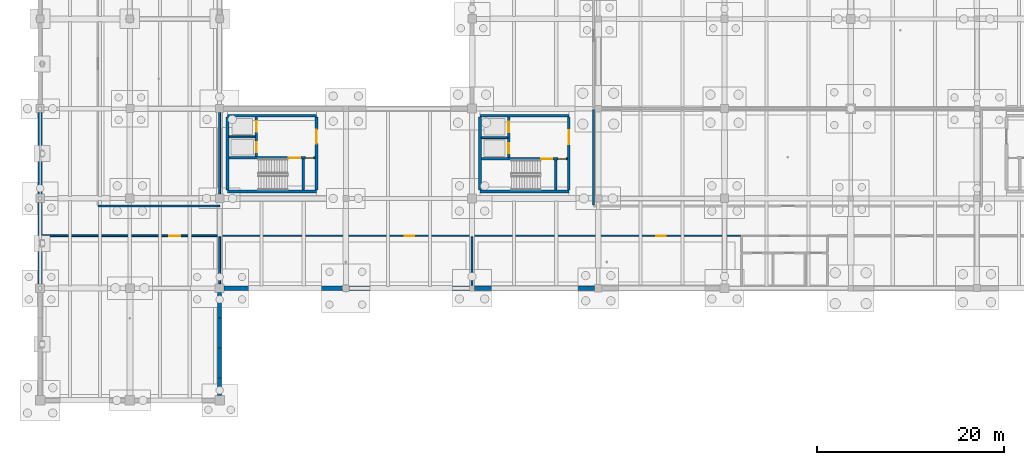
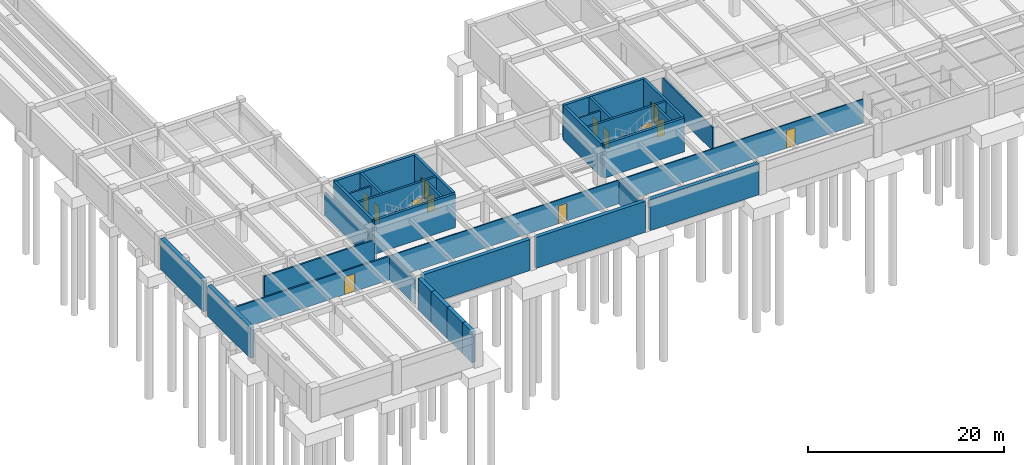
# One storey, part 15 of 41: 32 walls, 13 doors, 13 openings.
"""IFC4 building model written with IfcOpenShell, lengths in metres."""

from ifc_helpers import new_model, si_unit, direction, frame, frame_2d, origin, place, context, subcontext, project, spatial, rectangle, extrude, material, layer, layer_set, type_object, element, fill, save


model = new_model("IFC4")

# Units and contexts
model_context = context("Model", 3, precision=1e-05, world=origin(), true_north=direction((0.0, 1.0)))
body_context = subcontext(model_context, "Body", "Model", "MODEL_VIEW")
ifc_project = project(units=[si_unit("LENGTHUNIT", "METRE"), si_unit("AREAUNIT", "SQUARE_METRE"), si_unit("VOLUMEUNIT", "CUBIC_METRE"), si_unit("PLANEANGLEUNIT", "RADIAN"), si_unit("MASSUNIT", "GRAM", prefix="KILO")], contexts=[model_context])

# Site, building, storey
site_placement = place(None, origin())
site = spatial("IfcSite", under=ifc_project, at=site_placement, CompositionType="ELEMENT")
building_placement = place(site_placement, origin())
building = spatial("IfcBuilding", under=site, at=building_placement, Name="Fikremerkos Civic Library", CompositionType="ELEMENT")
storey_placement = place(building_placement, frame((0.0, 0.0, -8.39990234375)))
storey = spatial("IfcBuildingStorey", under=building, at=storey_placement, Name="B02", CompositionType="ELEMENT", Elevation=-8.39990234375)

# Walls
ifc_material_1 = material(Name="Concrete C40/50", Category="concrete")
ifc_layer_1 = layer(ifc_material_1, 0.449951171875, Name="Concrete C40/50")
ifc_layer_set_1 = layer_set([ifc_layer_1], Name="Concrete C40/50")
wall_type_1 = type_object("IfcWallType", Name="Basement retaining wall BRW-01 450", PredefinedType="USERDEFINED", material=ifc_layer_set_1)
wall_1_placement = place(storey_placement, frame((59.302001953125, 12.0, 0.0), z_axis=(0.0, 0.0, 1.0), x_axis=(-1.0, 0.0, 0.0)))
element("IfcWall", 1, at=wall_1_placement, inside=storey, type_object=wall_type_1, Name="Basement retaining wall BRW-01 B02 #6", ObjectType="RETAINING WALL", PredefinedType="USERDEFINED", context=body_context, shape_type="SweptSolid", body=[
    extrude(rectangle(XDim=12.8291015625, YDim=0.449951171875, at=frame_2d((6.41455078125, 0.0))), origin(), (0.0, 0.0, 1.0), 3.85986328125),
])
wall_2_placement = place(storey_placement, frame((45.927001953125, 12.0, 0.0), z_axis=(0.0, 0.0, 1.0), x_axis=(-1.0, 0.0, 0.0)))
element("IfcWall", 2, at=wall_2_placement, inside=storey, type_object=wall_type_1, Name="Basement retaining wall BRW-01 B02 #7", ObjectType="RETAINING WALL", PredefinedType="USERDEFINED", context=body_context, shape_type="SweptSolid", body=[
    extrude(rectangle(XDim=12.87890625, YDim=0.449951171875, at=frame_2d((6.439453125, 0.0))), origin(), (0.0, 0.0, 1.0), 3.85986328125),
])
wall_3_placement = place(storey_placement, frame((32.35205078125, 12.0, 0.0), z_axis=(0.0, 0.0, 1.0), x_axis=(-1.0, 0.0, 0.0)))
element("IfcWall", 3, at=wall_3_placement, inside=storey, type_object=wall_type_1, Name="Basement retaining wall BRW-01 B02 #8", ObjectType="RETAINING WALL", PredefinedType="USERDEFINED", context=body_context, shape_type="SweptSolid", body=[
    extrude(rectangle(XDim=12.678955078125, YDim=0.449951171875, at=frame_2d((6.33935546875, 0.0))), origin(), (0.0, 0.0, 1.0), 3.85986328125),
])
wall_4_placement = place(storey_placement, frame((19.199951171875, 11.527099609375, 0.0), z_axis=(0.0, 0.0, 1.0), x_axis=(0.0, -1.0, 0.0)))
element("IfcWall", 4, at=wall_4_placement, inside=storey, type_object=wall_type_1, Name="Basement retaining wall BRW-01 B02 #9", ObjectType="RETAINING WALL", PredefinedType="USERDEFINED", context=body_context, shape_type="SweptSolid", body=[
    extrude(rectangle(XDim=2.72509765625, YDim=0.449951171875, at=frame_2d((1.362548828125, 0.0))), origin(), (0.0, 0.0, 1.0), 3.85986328125),
])
wall_5_placement = place(storey_placement, frame((19.199951171875, 8.798095703125, 0.0), z_axis=(0.0, 0.0, 1.0), x_axis=(0.0, -1.0, 0.0)))
element("IfcWall", 5, at=wall_5_placement, inside=storey, type_object=wall_type_1, Name="Basement retaining wall BRW-01 B02 #10", ObjectType="RETAINING WALL", PredefinedType="USERDEFINED", context=body_context, shape_type="SweptSolid", body=[
    extrude(rectangle(XDim=3.196044921875, YDim=0.449951171875, at=frame_2d((1.59814453125, 0.0))), origin(), (0.0, 0.0, 1.0), 3.85986328125),
])
wall_6_placement = place(storey_placement, frame((19.199951171875, 5.597900390625, 0.0), z_axis=(0.0, 0.0, 1.0), x_axis=(0.0, -1.0, 0.0)))
element("IfcWall", 6, at=wall_6_placement, inside=storey, type_object=wall_type_1, Name="Basement retaining wall BRW-01 B02 #11", ObjectType="RETAINING WALL", PredefinedType="USERDEFINED", context=body_context, shape_type="SweptSolid", body=[
    extrude(rectangle(XDim=3.19580078125, YDim=0.449951171875, at=frame_2d((1.597900390625, 0.0))), origin(), (0.0, 0.0, 1.0), 3.85986328125),
])
wall_7_placement = place(storey_placement, frame((19.199951171875, 2.39794921875, 0.0), z_axis=(0.0, 0.0, 1.0), x_axis=(0.0, -1.0, 0.0)))
element("IfcWall", 7, at=wall_7_placement, inside=storey, type_object=wall_type_1, Name="Basement retaining wall BRW-01 B02 #12", ObjectType="RETAINING WALL", PredefinedType="USERDEFINED", context=body_context, shape_type="SweptSolid", body=[
    extrude(rectangle(XDim=1.89990234375, YDim=0.449951171875, at=frame_2d((0.949951171875, 0.0))), origin(), (0.0, 0.0, 1.0), 3.85986328125),
])
wall_8_placement = place(storey_placement, frame((0.0, 12.472900390625, 0.0), z_axis=(0.0, 0.0, 1.0), x_axis=(0.0, 1.0, 0.0)))
element("IfcWall", 8, at=wall_8_placement, inside=storey, type_object=wall_type_1, Name="Basement retaining wall BRW-01 B02 #19", ObjectType="RETAINING WALL", PredefinedType="USERDEFINED", context=body_context, shape_type="SweptSolid", body=[
    extrude(rectangle(XDim=8.67919921875, YDim=0.449951171875, at=frame_2d((4.339599609375, 0.0))), origin(), (0.0, 0.0, 1.0), 3.85986328125),
])
wall_9_placement = place(storey_placement, frame((0.0, 22.048095703125, 0.0), z_axis=(0.0, 0.0, 1.0), x_axis=(0.0, 1.0, 0.0)))
element("IfcWall", 9, at=wall_9_placement, inside=storey, type_object=wall_type_1, Name="Basement retaining wall BRW-01 B02 #20", ObjectType="RETAINING WALL", PredefinedType="USERDEFINED", context=body_context, shape_type="SweptSolid", body=[
    extrude(rectangle(XDim=8.72900390625, YDim=0.449951171875, at=frame_2d((4.364501953125, 0.0))), origin(), (0.0, 0.0, 1.0), 3.85986328125),
])
ifc_layer_2 = layer(ifc_material_1, 0.300048828125, Name="Concrete C40/50")
ifc_layer_set_2 = layer_set([ifc_layer_2], Name="Concrete C40/50")
wall_type_2 = type_object("IfcWallType", Name="Core shear wall CSW-01 300", PredefinedType="SHEAR", material=ifc_layer_set_2)
for number, where, z_axis, x_axis, name in (
    (10, (29.550048828125, 22.35009765625, 0.0), (0.0, 0.0, 1.0), (-1.0, 0.0, 0.0), "Core K1 south shear wall B02"),
    (11, (20.050048828125, 30.449951171875, 0.0), (0.0, 0.0, 1.0), (1.0, 0.0, 0.0), "Core K1 north shear wall B02"),
):
    element("IfcWall", number, at=place(storey_placement, frame(where, z_axis=z_axis, x_axis=x_axis)), inside=storey, type_object=wall_type_2, Name=name, PredefinedType="SHEAR", context=body_context, shape_type="SweptSolid", body=[
        extrude(rectangle(XDim=9.5, YDim=0.300048828125, at=frame_2d((4.75, 0.0))), origin(), (0.0, 0.0, 1.0), 4.199951171875),
    ])
wall_10_placement = place(storey_placement, frame((20.050048828125, 22.501953125, 0.0), z_axis=(0.0, 0.0, 1.0), x_axis=(0.0, 1.0, 0.0)))
element("IfcWall", 12, at=wall_10_placement, inside=storey, type_object=wall_type_2, Name="Core K1 west shear wall B02", PredefinedType="SHEAR", context=body_context, shape_type="SweptSolid", body=[
    extrude(rectangle(XDim=7.796142578125, YDim=0.300048828125, at=frame_2d((3.89794921875, 0.0))), origin(), (0.0, 0.0, 1.0), 4.199951171875),
])

# Wall, opening, door
wall_11_placement = place(storey_placement, frame((29.550048828125, 30.298095703125, 0.0), z_axis=(0.0, 0.0, 1.0), x_axis=(0.0, -1.0, 0.0)))
wall_11 = element("IfcWall", 13, at=wall_11_placement, inside=storey, type_object=wall_type_2, Name="Core K1 east shear wall B02", PredefinedType="SHEAR", context=body_context, shape_type="SweptSolid", body=[
    extrude(rectangle(XDim=7.796142578125, YDim=0.300048828125, at=frame_2d((3.89794921875, 0.0))), origin(), (0.0, 0.0, 1.0), 4.199951171875),
])
opening_1_placement = place(wall_11_placement, frame((1.347900390625, 0.0, 0.0)))
opening_1 = element("IfcOpeningElement", 14, at=opening_1_placement, cuts=wall_11, Name="Opening D029", PredefinedType="OPENING", context=body_context, shape_type="SweptSolid", body=[
    extrude(rectangle(XDim=1.5, YDim=2.25, at=frame_2d((0.75, 1.125))), frame((0.0, 0.159912109375, 0.0), z_axis=(0.0, -1.0, 0.0), x_axis=(1.0, 0.0, 0.0)), (0.0, 0.0, 1.0), 0.320068359375),
])
ifc_material_2 = material(Name="Hardwood timber and acoustic glass", Category="wood")
door_type_1 = type_object("IfcDoorType", Name="Pedestrian door DT-05 1500x2250", OperationType="NOTDEFINED", PredefinedType="DOOR", material=ifc_material_2)
door_1_placement = place(opening_1_placement, origin())
door_1 = element("IfcDoor", 15, at=door_1_placement, inside=storey, type_object=door_type_1, Name="Core K1 lobby fire door D029 B02", OperationType="SINGLE_SWING_RIGHT", OverallHeight=2.25, OverallWidth=1.5, PredefinedType="DOOR", context=body_context, shape_type="SweptSolid", body=[
    extrude(rectangle(XDim=1.5, YDim=2.25, at=frame_2d((0.75, 1.125))), frame((0.0, 0.032470703125, 0.0), z_axis=(0.0, -1.0, 0.0), x_axis=(1.0, 0.0, 0.0)), (0.0, 0.0, 1.0), 0.06494140625),
])
fill(opening_1, door_1)

# Walls
for number, where, z_axis, x_axis, name in (
    (16, (56.550048828125, 22.35009765625, 0.0), (0.0, 0.0, 1.0), (-1.0, 0.0, 0.0), "Core K3 south shear wall B02"),
    (17, (47.050048828125, 30.449951171875, 0.0), (0.0, 0.0, 1.0), (1.0, 0.0, 0.0), "Core K3 north shear wall B02"),
):
    element("IfcWall", number, at=place(storey_placement, frame(where, z_axis=z_axis, x_axis=x_axis)), inside=storey, type_object=wall_type_2, Name=name, PredefinedType="SHEAR", context=body_context, shape_type="SweptSolid", body=[
        extrude(rectangle(XDim=9.5, YDim=0.300048828125, at=frame_2d((4.75, 0.0))), origin(), (0.0, 0.0, 1.0), 4.199951171875),
    ])
wall_12_placement = place(storey_placement, frame((47.050048828125, 22.501953125, 0.0), z_axis=(0.0, 0.0, 1.0), x_axis=(0.0, 1.0, 0.0)))
element("IfcWall", 18, at=wall_12_placement, inside=storey, type_object=wall_type_2, Name="Core K3 west shear wall B02", PredefinedType="SHEAR", context=body_context, shape_type="SweptSolid", body=[
    extrude(rectangle(XDim=7.796142578125, YDim=0.300048828125, at=frame_2d((3.89794921875, 0.0))), origin(), (0.0, 0.0, 1.0), 4.199951171875),
])

# Wall, opening, door
wall_13_placement = place(storey_placement, frame((56.550048828125, 30.298095703125, 0.0), z_axis=(0.0, 0.0, 1.0), x_axis=(0.0, -1.0, 0.0)))
wall_13 = element("IfcWall", 19, at=wall_13_placement, inside=storey, type_object=wall_type_2, Name="Core K3 east shear wall B02", PredefinedType="SHEAR", context=body_context, shape_type="SweptSolid", body=[
    extrude(rectangle(XDim=7.796142578125, YDim=0.300048828125, at=frame_2d((3.89794921875, 0.0))), origin(), (0.0, 0.0, 1.0), 4.199951171875),
])
opening_2_placement = place(wall_13_placement, frame((1.39794921875, 0.0, 0.0)))
opening_2 = element("IfcOpeningElement", 20, at=opening_2_placement, cuts=wall_13, Name="Opening D077", PredefinedType="OPENING", context=body_context, shape_type="SweptSolid", body=[
    extrude(rectangle(XDim=1.5, YDim=2.25, at=frame_2d((0.75, 1.125))), frame((0.0, 0.159912109375, 0.0), z_axis=(0.0, -1.0, 0.0), x_axis=(1.0, 0.0, 0.0)), (0.0, 0.0, 1.0), 0.320068359375),
])
door_2_placement = place(opening_2_placement, origin())
door_2 = element("IfcDoor", 21, at=door_2_placement, inside=storey, type_object=door_type_1, Name="Core K3 lobby fire door D077 B02", OperationType="SINGLE_SWING_RIGHT", OverallHeight=2.25, OverallWidth=1.5, PredefinedType="DOOR", context=body_context, shape_type="SweptSolid", body=[
    extrude(rectangle(XDim=1.5, YDim=2.25, at=frame_2d((0.75, 1.125))), frame((0.0, 0.032470703125, 0.0), z_axis=(0.0, -1.0, 0.0), x_axis=(1.0, 0.0, 0.0)), (0.0, 0.0, 1.0), 0.06494140625),
])
fill(opening_2, door_2)

# Wall, openings, doors
ifc_layer_3 = layer(ifc_material_1, 0.260009765625, Name="Concrete C40/50")
ifc_layer_set_3 = layer_set([ifc_layer_3], Name="Concrete C40/50")
wall_type_3 = type_object("IfcWallType", Name="Core shear wall CSW-02 260", PredefinedType="SHEAR", material=ifc_layer_set_3)
wall_14_placement = place(storey_placement, frame((20.201904296875, 25.929931640625, 0.0), z_axis=(0.0, 0.0, 1.0), x_axis=(1.0, 0.0, 0.0)))
wall_14 = element("IfcWall", 22, at=wall_14_placement, inside=storey, type_object=wall_type_3, Name="Core K1 stair compartment wall B02", PredefinedType="SHEAR", context=body_context, shape_type="SweptSolid", body=[
    extrude(rectangle(XDim=9.196044921875, YDim=0.260009765625, at=frame_2d((4.59814453125, 0.0))), origin(), (0.0, 0.0, 1.0), 4.199951171875),
])
opening_3_placement = place(wall_14_placement, frame((6.39794921875, 0.0, 0.0)))
opening_3 = element("IfcOpeningElement", 23, at=opening_3_placement, cuts=wall_14, Name="Opening D030", PredefinedType="OPENING", context=body_context, shape_type="SweptSolid", body=[
    extrude(rectangle(XDim=1.199951171875, YDim=2.199951171875, at=frame_2d((0.60009765625, 1.10009765625))), frame((0.0, 0.139892578125, 0.0), z_axis=(0.0, -1.0, 0.0), x_axis=(1.0, 0.0, 0.0)), (0.0, 0.0, 1.0), 0.280029296875),
])
opening_4_placement = place(wall_14_placement, frame((8.202880859375, 0.0, 0.0)))
opening_4 = element("IfcOpeningElement", 24, at=opening_4_placement, cuts=wall_14, Name="Opening D031", PredefinedType="OPENING", context=body_context, shape_type="SweptSolid", body=[
    extrude(rectangle(XDim=0.85009765625, YDim=2.050048828125, at=frame_2d((0.425048828125, 1.02490234375))), frame((0.0, 0.139892578125, 0.0), z_axis=(0.0, -1.0, 0.0), x_axis=(1.0, 0.0, 0.0)), (0.0, 0.0, 1.0), 0.280029296875),
])
door_type_2 = type_object("IfcDoorType", Name="Pedestrian door DT-06 1200x2200", OperationType="NOTDEFINED", PredefinedType="DOOR", material=ifc_material_2)
door_3_placement = place(opening_3_placement, origin())
door_3 = element("IfcDoor", 25, at=door_3_placement, inside=storey, type_object=door_type_2, Name="Core K1 stair fire door D030 B02", OperationType="SINGLE_SWING_RIGHT", OverallHeight=2.199951171875, OverallWidth=1.199951171875, PredefinedType="DOOR", context=body_context, shape_type="SweptSolid", body=[
    extrude(rectangle(XDim=1.199951171875, YDim=2.199951171875, at=frame_2d((0.60009765625, 1.10009765625))), frame((0.0, 0.032470703125, 0.0), z_axis=(0.0, -1.0, 0.0), x_axis=(1.0, 0.0, 0.0)), (0.0, 0.0, 1.0), 0.06494140625),
])
fill(opening_3, door_3)
door_type_3 = type_object("IfcDoorType", Name="Pedestrian door DT-08 850x2050", OperationType="NOTDEFINED", PredefinedType="DOOR", material=ifc_material_2)
door_4_placement = place(opening_4_placement, origin())
door_4 = element("IfcDoor", 26, at=door_4_placement, inside=storey, type_object=door_type_3, Name="Core K1 riser access fire door D031 B02", OperationType="SINGLE_SWING_LEFT", OverallHeight=2.050048828125, OverallWidth=0.85009765625, PredefinedType="DOOR", context=body_context, shape_type="SweptSolid", body=[
    extrude(rectangle(XDim=0.85009765625, YDim=2.050048828125, at=frame_2d((0.425048828125, 1.02490234375))), frame((0.0, 0.032470703125, 0.0), z_axis=(0.0, -1.0, 0.0), x_axis=(1.0, 0.0, 0.0)), (0.0, 0.0, 1.0), 0.06494140625),
])
fill(opening_4, door_4)

# Wall
wall_15_placement = place(storey_placement, frame((28.1298828125, 22.501953125, 0.0), z_axis=(0.0, 0.0, 1.0), x_axis=(0.0, 1.0, 0.0)))
element("IfcWall", 27, at=wall_15_placement, inside=storey, type_object=wall_type_3, Name="Core K1 stair-riser shear wall B02", PredefinedType="SHEAR", context=body_context, shape_type="SweptSolid", body=[
    extrude(rectangle(XDim=3.296142578125, YDim=0.260009765625, at=frame_2d((1.64794921875, 0.0))), origin(), (0.0, 0.0, 1.0), 4.199951171875),
])

# Wall, openings, doors
wall_16_placement = place(storey_placement, frame((23.1298828125, 26.06201171875, 0.0), z_axis=(0.0, 0.0, 1.0), x_axis=(0.0, 1.0, 0.0)))
wall_16 = element("IfcWall", 28, at=wall_16_placement, inside=storey, type_object=wall_type_3, Name="Core K1 lift shaft front wall B02", PredefinedType="SHEAR", context=body_context, shape_type="SweptSolid", body=[
    extrude(rectangle(XDim=4.236083984375, YDim=0.260009765625, at=frame_2d((2.1181640625, 0.0))), origin(), (0.0, 0.0, 1.0), 4.199951171875),
])
opening_5_placement = place(wall_16_placement, frame((0.468017578125, 0.0, 0.0)))
opening_5 = element("IfcOpeningElement", 29, at=opening_5_placement, cuts=wall_16, Name="Opening LD01", PredefinedType="OPENING", context=body_context, shape_type="SweptSolid", body=[
    extrude(rectangle(XDim=1.10009765625, YDim=2.14990234375, at=frame_2d((0.550048828125, 1.074951171875))), frame((0.0, 0.139892578125, 0.0), z_axis=(0.0, -1.0, 0.0), x_axis=(1.0, 0.0, 0.0)), (0.0, 0.0, 1.0), 0.280029296875),
])
opening_6_placement = place(wall_16_placement, frame((2.66796875, 0.0, 0.0)))
opening_6 = element("IfcOpeningElement", 30, at=opening_6_placement, cuts=wall_16, Name="Opening LD02", PredefinedType="OPENING", context=body_context, shape_type="SweptSolid", body=[
    extrude(rectangle(XDim=1.10009765625, YDim=2.14990234375, at=frame_2d((0.550048828125, 1.074951171875))), frame((0.0, 0.139892578125, 0.0), z_axis=(0.0, -1.0, 0.0), x_axis=(1.0, 0.0, 0.0)), (0.0, 0.0, 1.0), 0.280029296875),
])
ifc_material_3 = material(Name="Brushed stainless steel", Category="steel")
door_type_4 = type_object("IfcDoorType", Name="Lift landing door LDT-01 1100x2150", OperationType="NOTDEFINED", PredefinedType="DOOR", material=ifc_material_3)
door_5_placement = place(opening_5_placement, origin())
door_5 = element("IfcDoor", 31, at=door_5_placement, inside=storey, type_object=door_type_4, Name="Lift LF01 sliding landing door LD01 B02", OperationType="SLIDING_TO_LEFT", OverallHeight=2.14990234375, OverallWidth=1.10009765625, PredefinedType="DOOR", context=body_context, shape_type="SweptSolid", body=[
    extrude(rectangle(XDim=1.10009765625, YDim=2.14990234375, at=frame_2d((0.550048828125, 1.074951171875))), frame((0.0, 0.032470703125, 0.0), z_axis=(0.0, -1.0, 0.0), x_axis=(1.0, 0.0, 0.0)), (0.0, 0.0, 1.0), 0.06494140625),
])
fill(opening_5, door_5)
door_6_placement = place(opening_6_placement, origin())
door_6 = element("IfcDoor", 32, at=door_6_placement, inside=storey, type_object=door_type_4, Name="Lift LF02 sliding landing door LD02 B02", OperationType="SLIDING_TO_LEFT", OverallHeight=2.14990234375, OverallWidth=1.10009765625, PredefinedType="DOOR", context=body_context, shape_type="SweptSolid", body=[
    extrude(rectangle(XDim=1.10009765625, YDim=2.14990234375, at=frame_2d((0.550048828125, 1.074951171875))), frame((0.0, 0.032470703125, 0.0), z_axis=(0.0, -1.0, 0.0), x_axis=(1.0, 0.0, 0.0)), (0.0, 0.0, 1.0), 0.06494140625),
])
fill(opening_6, door_6)

wall_17_placement = place(storey_placement, frame((47.201904296875, 25.830078125, 0.0), z_axis=(0.0, 0.0, 1.0), x_axis=(1.0, 0.0, 0.0)))
wall_17 = element("IfcWall", 33, at=wall_17_placement, inside=storey, type_object=wall_type_3, Name="Core K3 stair compartment wall B02", PredefinedType="SHEAR", context=body_context, shape_type="SweptSolid", body=[
    extrude(rectangle(XDim=9.196044921875, YDim=0.260009765625, at=frame_2d((4.59814453125, 0.0))), origin(), (0.0, 0.0, 1.0), 4.199951171875),
])
opening_7_placement = place(wall_17_placement, frame((6.39794921875, 0.0, 0.0)))
opening_7 = element("IfcOpeningElement", 34, at=opening_7_placement, cuts=wall_17, Name="Opening D078", PredefinedType="OPENING", context=body_context, shape_type="SweptSolid", body=[
    extrude(rectangle(XDim=1.199951171875, YDim=2.199951171875, at=frame_2d((0.60009765625, 1.10009765625))), frame((0.0, 0.139892578125, 0.0), z_axis=(0.0, -1.0, 0.0), x_axis=(1.0, 0.0, 0.0)), (0.0, 0.0, 1.0), 0.280029296875),
])
opening_8_placement = place(wall_17_placement, frame((8.202880859375, 0.0, 0.0)))
opening_8 = element("IfcOpeningElement", 35, at=opening_8_placement, cuts=wall_17, Name="Opening D079", PredefinedType="OPENING", context=body_context, shape_type="SweptSolid", body=[
    extrude(rectangle(XDim=0.85009765625, YDim=2.050048828125, at=frame_2d((0.425048828125, 1.02490234375))), frame((0.0, 0.139892578125, 0.0), z_axis=(0.0, -1.0, 0.0), x_axis=(1.0, 0.0, 0.0)), (0.0, 0.0, 1.0), 0.280029296875),
])
door_7_placement = place(opening_7_placement, origin())
door_7 = element("IfcDoor", 36, at=door_7_placement, inside=storey, type_object=door_type_2, Name="Core K3 stair fire door D078 B02", OperationType="SINGLE_SWING_RIGHT", OverallHeight=2.199951171875, OverallWidth=1.199951171875, PredefinedType="DOOR", context=body_context, shape_type="SweptSolid", body=[
    extrude(rectangle(XDim=1.199951171875, YDim=2.199951171875, at=frame_2d((0.60009765625, 1.10009765625))), frame((0.0, 0.032470703125, 0.0), z_axis=(0.0, -1.0, 0.0), x_axis=(1.0, 0.0, 0.0)), (0.0, 0.0, 1.0), 0.06494140625),
])
fill(opening_7, door_7)
door_8_placement = place(opening_8_placement, origin())
door_8 = element("IfcDoor", 37, at=door_8_placement, inside=storey, type_object=door_type_3, Name="Core K3 riser access fire door D079 B02", OperationType="SINGLE_SWING_LEFT", OverallHeight=2.050048828125, OverallWidth=0.85009765625, PredefinedType="DOOR", context=body_context, shape_type="SweptSolid", body=[
    extrude(rectangle(XDim=0.85009765625, YDim=2.050048828125, at=frame_2d((0.425048828125, 1.02490234375))), frame((0.0, 0.032470703125, 0.0), z_axis=(0.0, -1.0, 0.0), x_axis=(1.0, 0.0, 0.0)), (0.0, 0.0, 1.0), 0.06494140625),
])
fill(opening_8, door_8)

# Wall
wall_18_placement = place(storey_placement, frame((55.1298828125, 22.501953125, 0.0), z_axis=(0.0, 0.0, 1.0), x_axis=(0.0, 1.0, 0.0)))
element("IfcWall", 38, at=wall_18_placement, inside=storey, type_object=wall_type_3, Name="Core K3 stair-riser shear wall B02", PredefinedType="SHEAR", context=body_context, shape_type="SweptSolid", body=[
    extrude(rectangle(XDim=3.196044921875, YDim=0.260009765625, at=frame_2d((1.59814453125, 0.0))), origin(), (0.0, 0.0, 1.0), 4.199951171875),
])

# Wall, openings, doors
wall_19_placement = place(storey_placement, frame((50.1298828125, 25.9619140625, 0.0), z_axis=(0.0, 0.0, 1.0), x_axis=(0.0, 1.0, 0.0)))
wall_19 = element("IfcWall", 39, at=wall_19_placement, inside=storey, type_object=wall_type_3, Name="Core K3 lift shaft front wall B02", PredefinedType="SHEAR", context=body_context, shape_type="SweptSolid", body=[
    extrude(rectangle(XDim=4.336181640625, YDim=0.260009765625, at=frame_2d((2.16796875, 0.0))), origin(), (0.0, 0.0, 1.0), 4.199951171875),
])
opening_9_placement = place(wall_19_placement, frame((0.468017578125, 0.0, 0.0)))
opening_9 = element("IfcOpeningElement", 40, at=opening_9_placement, cuts=wall_19, Name="Opening LD33", PredefinedType="OPENING", context=body_context, shape_type="SweptSolid", body=[
    extrude(rectangle(XDim=1.10009765625, YDim=2.14990234375, at=frame_2d((0.550048828125, 1.074951171875))), frame((0.0, 0.139892578125, 0.0), z_axis=(0.0, -1.0, 0.0), x_axis=(1.0, 0.0, 0.0)), (0.0, 0.0, 1.0), 0.280029296875),
])
opening_10_placement = place(wall_19_placement, frame((2.738037109375, 0.0, 0.0)))
opening_10 = element("IfcOpeningElement", 41, at=opening_10_placement, cuts=wall_19, Name="Opening LD34", PredefinedType="OPENING", context=body_context, shape_type="SweptSolid", body=[
    extrude(rectangle(XDim=1.10009765625, YDim=2.14990234375, at=frame_2d((0.550048828125, 1.074951171875))), frame((0.0, 0.139892578125, 0.0), z_axis=(0.0, -1.0, 0.0), x_axis=(1.0, 0.0, 0.0)), (0.0, 0.0, 1.0), 0.280029296875),
])
door_9_placement = place(opening_9_placement, origin())
door_9 = element("IfcDoor", 42, at=door_9_placement, inside=storey, type_object=door_type_4, Name="Lift LF05 sliding landing door LD33 B02", OperationType="SLIDING_TO_LEFT", OverallHeight=2.14990234375, OverallWidth=1.10009765625, PredefinedType="DOOR", context=body_context, shape_type="SweptSolid", body=[
    extrude(rectangle(XDim=1.10009765625, YDim=2.14990234375, at=frame_2d((0.550048828125, 1.074951171875))), frame((0.0, 0.032470703125, 0.0), z_axis=(0.0, -1.0, 0.0), x_axis=(1.0, 0.0, 0.0)), (0.0, 0.0, 1.0), 0.06494140625),
])
fill(opening_9, door_9)
door_10_placement = place(opening_10_placement, origin())
door_10 = element("IfcDoor", 43, at=door_10_placement, inside=storey, type_object=door_type_4, Name="Lift LF06 sliding landing door LD34 B02", OperationType="SLIDING_TO_LEFT", OverallHeight=2.14990234375, OverallWidth=1.10009765625, PredefinedType="DOOR", context=body_context, shape_type="SweptSolid", body=[
    extrude(rectangle(XDim=1.10009765625, YDim=2.14990234375, at=frame_2d((0.550048828125, 1.074951171875))), frame((0.0, 0.032470703125, 0.0), z_axis=(0.0, -1.0, 0.0), x_axis=(1.0, 0.0, 0.0)), (0.0, 0.0, 1.0), 0.06494140625),
])
fill(opening_10, door_10)

# Wall, opening, door
ifc_material_4 = material(Name="Acoustic concrete blockwork", Category="masonry")
ifc_layer_4 = layer(ifc_material_4, 0.18994140625, Name="Acoustic concrete blockwork")
ifc_layer_set_4 = layer_set([ifc_layer_4], Name="Acoustic concrete blockwork")
wall_type_4 = type_object("IfcWallType", Name="Interior partition wall IPW-01 190", PredefinedType="PARTITIONING", material=ifc_layer_set_4)
wall_20_placement = place(storey_placement, frame((0.22802734375, 17.60009765625, 0.0), z_axis=(0.0, 0.0, 1.0), x_axis=(1.0, 0.0, 0.0)))
wall_20 = element("IfcWall", 44, at=wall_20_placement, inside=storey, type_object=wall_type_4, Name="Interior wall IPW-01 B02 #8", PredefinedType="PARTITIONING", context=body_context, shape_type="SweptSolid", body=[
    extrude(rectangle(XDim=18.971923828125, YDim=0.18994140625, at=frame_2d((9.48583984375, 0.0))), origin(), (0.0, 0.0, 1.0), 2.949951171875),
])
opening_11_placement = place(wall_20_placement, frame((13.572021484375, 0.0, 0.0)))
opening_11 = element("IfcOpeningElement", 45, at=opening_11_placement, cuts=wall_20, Name="Opening D132", PredefinedType="OPENING", context=body_context, shape_type="SweptSolid", body=[
    extrude(rectangle(XDim=1.199951171875, YDim=2.199951171875, at=frame_2d((0.60009765625, 1.10009765625))), frame((0.0, 0.10498046875, 0.0), z_axis=(0.0, -1.0, 0.0), x_axis=(1.0, 0.0, 0.0)), (0.0, 0.0, 1.0), 0.2099609375),
])
door_11_placement = place(opening_11_placement, origin())
door_11 = element("IfcDoor", 46, at=door_11_placement, inside=storey, type_object=door_type_2, Name="Interior door D132 B02", OperationType="SINGLE_SWING_LEFT", OverallHeight=2.199951171875, OverallWidth=1.199951171875, PredefinedType="DOOR", context=body_context, shape_type="SweptSolid", body=[
    extrude(rectangle(XDim=1.199951171875, YDim=2.199951171875, at=frame_2d((0.60009765625, 1.10009765625))), frame((0.0, 0.032470703125, 0.0), z_axis=(0.0, -1.0, 0.0), x_axis=(1.0, 0.0, 0.0)), (0.0, 0.0, 1.0), 0.06494140625),
])
fill(opening_11, door_11)

# Walls
wall_21_placement = place(storey_placement, frame((6.199951171875, 20.800048828125, 0.0), z_axis=(0.0, 0.0, 1.0), x_axis=(1.0, 0.0, 0.0)))
element("IfcWall", 47, at=wall_21_placement, inside=storey, type_object=wall_type_4, Name="Interior wall IPW-01 B02 #9", PredefinedType="PARTITIONING", context=body_context, shape_type="SweptSolid", body=[
    extrude(rectangle(XDim=13.0, YDim=0.18994140625, at=frame_2d((6.5, 0.0))), origin(), (0.0, 0.0, 1.0), 3.0),
])
wall_22_placement = place(storey_placement, frame((19.199951171875, 12.47802734375, 0.0), z_axis=(0.0, 0.0, 1.0), x_axis=(0.0, 1.0, 0.0)))
element("IfcWall", 48, at=wall_22_placement, inside=storey, type_object=wall_type_4, Name="Interior wall IPW-01 B02 #27", PredefinedType="PARTITIONING", context=body_context, shape_type="SweptSolid", body=[
    extrude(rectangle(XDim=5.01708984375, YDim=0.18994140625, at=frame_2d((2.508544921875, 0.0))), origin(), (0.0, 0.0, 1.0), 3.0),
])
wall_23_placement = place(storey_placement, frame((19.199951171875, 22.052978515625, 0.0), z_axis=(0.0, 0.0, 1.0), x_axis=(0.0, 1.0, 0.0)))
element("IfcWall", 49, at=wall_23_placement, inside=storey, type_object=wall_type_4, Name="Interior wall IPW-01 B02 #28", PredefinedType="PARTITIONING", context=body_context, shape_type="SweptSolid", body=[
    extrude(rectangle(XDim=8.718994140625, YDim=0.18994140625, at=frame_2d((4.359375, 0.0))), origin(), (0.0, 0.0, 1.0), 2.849853515625),
])
wall_24_placement = place(storey_placement, frame((59.199951171875, 20.905029296875, 0.0), z_axis=(0.0, 0.0, 1.0), x_axis=(0.0, 1.0, 0.0)))
element("IfcWall", 50, at=wall_24_placement, inside=storey, type_object=wall_type_4, Name="Interior wall IPW-01 B02 #29", PredefinedType="PARTITIONING", context=body_context, shape_type="SweptSolid", body=[
    extrude(rectangle(XDim=10.18994140625, YDim=0.18994140625, at=frame_2d((5.094970703125, 0.0))), origin(), (0.0, 0.0, 1.0), 2.89990234375),
])
wall_25_placement = place(storey_placement, frame((46.199951171875, 12.278076171875, 0.0), z_axis=(0.0, 0.0, 1.0), x_axis=(0.0, 1.0, 0.0)))
element("IfcWall", 51, at=wall_25_placement, inside=storey, type_object=wall_type_4, Name="Interior wall IPW-01 B02 #40", PredefinedType="PARTITIONING", context=body_context, shape_type="SweptSolid", body=[
    extrude(rectangle(XDim=5.217041015625, YDim=0.18994140625, at=frame_2d((2.6083984375, 0.0))), origin(), (0.0, 0.0, 1.0), 3.0),
])

# Wall, openings, doors
ifc_material_5 = material(Name="Gypsum metal stud partition")
ifc_layer_5 = layer(ifc_material_5, 0.1298828125, Name="Gypsum metal stud partition")
ifc_layer_set_5 = layer_set([ifc_layer_5], Name="Gypsum metal stud partition")
wall_type_5 = type_object("IfcWallType", Name="Interior partition wall IPW-03 130", PredefinedType="PARTITIONING", material=ifc_layer_set_5)
wall_26_placement = place(storey_placement, frame((19.280029296875, 17.60009765625, 0.0), z_axis=(0.0, 0.0, 1.0), x_axis=(1.0, 0.0, 0.0)))
wall_26 = element("IfcWall", 52, at=wall_26_placement, inside=storey, type_object=wall_type_5, Name="Interior wall IPW-03 B02 #38", PredefinedType="PARTITIONING", context=body_context, shape_type="SweptSolid", body=[
    extrude(rectangle(XDim=55.669921875, YDim=0.1298828125, at=frame_2d((27.8349609375, 0.0))), origin(), (0.0, 0.0, 1.0), 2.949951171875),
])
opening_12_placement = place(wall_26_placement, frame((19.719970703125, 0.0, 0.0)))
opening_12 = element("IfcOpeningElement", 53, at=opening_12_placement, cuts=wall_26, Name="Opening D135", PredefinedType="OPENING", context=body_context, shape_type="SweptSolid", body=[
    extrude(rectangle(XDim=1.0, YDim=2.199951171875, at=frame_2d((0.5, 1.10009765625))), frame((0.0, 0.074951171875, 0.0), z_axis=(0.0, -1.0, 0.0), x_axis=(1.0, 0.0, 0.0)), (0.0, 0.0, 1.0), 0.14990234375),
])
opening_13_placement = place(wall_26_placement, frame((46.6201171875, 0.0, 0.0)))
opening_13 = element("IfcOpeningElement", 54, at=opening_13_placement, cuts=wall_26, Name="Opening D136", PredefinedType="OPENING", context=body_context, shape_type="SweptSolid", body=[
    extrude(rectangle(XDim=1.0, YDim=2.199951171875, at=frame_2d((0.5, 1.10009765625))), frame((0.0, 0.074951171875, 0.0), z_axis=(0.0, -1.0, 0.0), x_axis=(1.0, 0.0, 0.0)), (0.0, 0.0, 1.0), 0.14990234375),
])
door_type_5 = type_object("IfcDoorType", Name="Pedestrian door DT-01 1000x2200", OperationType="NOTDEFINED", PredefinedType="DOOR", material=ifc_material_2)
door_12_placement = place(opening_12_placement, origin())
door_12 = element("IfcDoor", 55, at=door_12_placement, inside=storey, type_object=door_type_5, Name="Interior door D135 B02", OperationType="SINGLE_SWING_RIGHT", OverallHeight=2.199951171875, OverallWidth=1.0, PredefinedType="DOOR", context=body_context, shape_type="SweptSolid", body=[
    extrude(rectangle(XDim=1.0, YDim=2.199951171875, at=frame_2d((0.5, 1.10009765625))), frame((0.0, 0.032470703125, 0.0), z_axis=(0.0, -1.0, 0.0), x_axis=(1.0, 0.0, 0.0)), (0.0, 0.0, 1.0), 0.06494140625),
])
fill(opening_12, door_12)
door_13_placement = place(opening_13_placement, origin())
door_13 = element("IfcDoor", 56, at=door_13_placement, inside=storey, type_object=door_type_5, Name="Interior door D136 B02", OperationType="SINGLE_SWING_LEFT", OverallHeight=2.199951171875, OverallWidth=1.0, PredefinedType="DOOR", context=body_context, shape_type="SweptSolid", body=[
    extrude(rectangle(XDim=1.0, YDim=2.199951171875, at=frame_2d((0.5, 1.10009765625))), frame((0.0, 0.032470703125, 0.0), z_axis=(0.0, -1.0, 0.0), x_axis=(1.0, 0.0, 0.0)), (0.0, 0.0, 1.0), 0.06494140625),
])
fill(opening_13, door_13)

# Walls
ifc_material_6 = material(Name="Concrete C35/45", Category="concrete")
ifc_layer_6 = layer(ifc_material_6, 0.199951171875, Name="Concrete C35/45")
ifc_layer_set_6 = layer_set([ifc_layer_6], Name="Concrete C35/45")
wall_type_6 = type_object("IfcWallType", Name="Service duct wall SDW-01 200", PredefinedType="PLUMBINGWALL", material=ifc_layer_set_6)
for number, where, z_axis, x_axis, name in (
    (57, (20.201904296875, 28.179931640625, 0.0), (0.0, 0.0, 1.0), (1.0, 0.0, 0.0), "Core K1 inter-lift shaft wall B02"),
    (58, (47.201904296875, 28.10009765625, 0.0), (0.0, 0.0, 1.0), (1.0, 0.0, 0.0), "Core K3 inter-lift shaft wall B02"),
):
    element("IfcWall", number, at=place(storey_placement, frame(where, z_axis=z_axis, x_axis=x_axis)), inside=storey, type_object=wall_type_6, Name=name, PredefinedType="PLUMBINGWALL", context=body_context, shape_type="SweptSolid", body=[
        extrude(rectangle(XDim=2.796142578125, YDim=0.199951171875, at=frame_2d((1.39794921875, 0.0))), origin(), (0.0, 0.0, 1.0), 3.85986328125),
    ])

save(model, "model.ifc")
